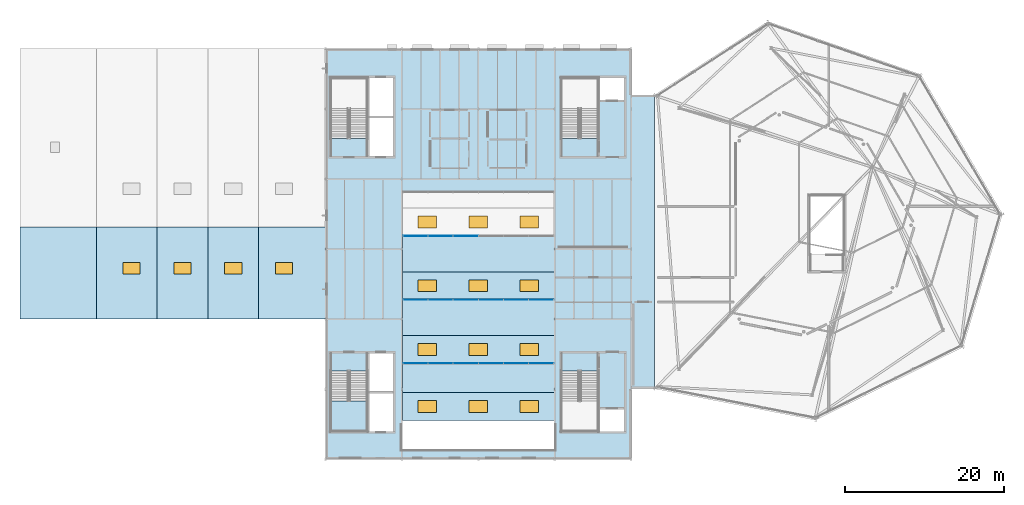
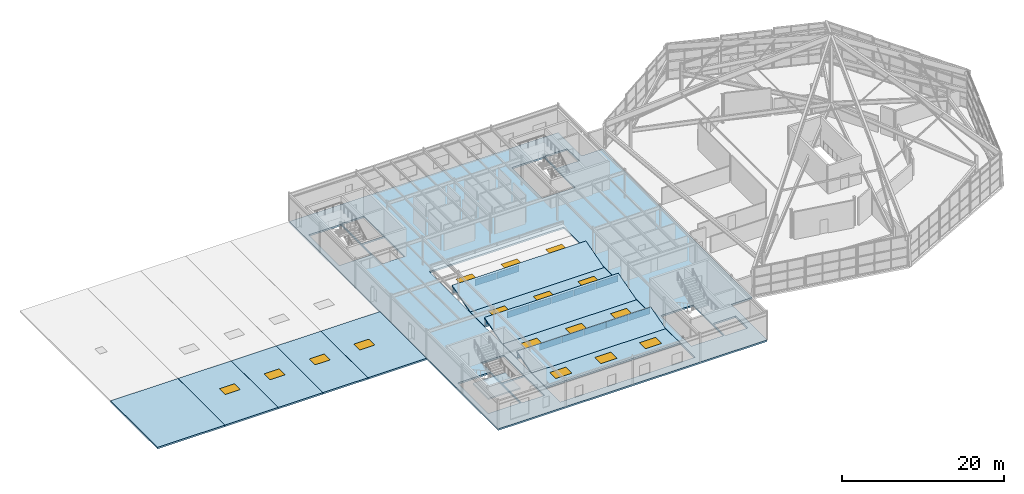
# One storey, part 24 of 50: 16 windows, 15 plates, 13 slabs, 16 openings, 4 elements without a shape of their own.
"""IFC4 building model written with IfcOpenShell, lengths in metres."""

from ifc_helpers import new_model, si_unit, direction, frame, origin, origin_2d, place, context, subcontext, project, spatial, polyline, rectangle, outline, extrude, material, layer, layer_set, type_object, element, fill, aggregate, save


model = new_model("IFC4")

# Units and contexts
model_context = context("Model", 3, precision=1e-05, world=origin(), true_north=direction((0.0, 1.0)))
body_context = subcontext(model_context, "Body", "Model", "MODEL_VIEW")
ifc_project = project(units=[si_unit("LENGTHUNIT", "METRE"), si_unit("AREAUNIT", "SQUARE_METRE"), si_unit("VOLUMEUNIT", "CUBIC_METRE"), si_unit("PLANEANGLEUNIT", "RADIAN"), si_unit("MASSUNIT", "GRAM", prefix="KILO")], contexts=[model_context])

# Site, building, storey
site_placement = place(None, origin())
site = spatial("IfcSite", under=ifc_project, at=site_placement, CompositionType="ELEMENT")
building_placement = place(site_placement, origin())
building = spatial("IfcBuilding", under=site, at=building_placement, Name="Sarnbrook Museum", CompositionType="ELEMENT")
storey_placement = place(building_placement, frame((0.0, 0.0, 28.10009765625)))
storey = spatial("IfcBuildingStorey", under=building, at=storey_placement, Name="L05", CompositionType="ELEMENT", Elevation=28.10009765625)

# Curtain wall, plates
ifc_material_1 = material(Name="Thermally Broken Anodised Aluminium 6063-T6", Category="aluminium")
curtain_wall_type = type_object("IfcCurtainWallType", Name="CurtainWall_Sawtooth", PredefinedType="NOTDEFINED", material=ifc_material_1)
curtain_wall_1_placement = place(storey_placement, origin())
curtain_wall_1 = element("IfcCurtainWall", 1, at=curtain_wall_1_placement, inside=storey, type_object=curtain_wall_type, Name="Atrium Sawtooth North-Light Clerestory 1", PredefinedType="NOTDEFINED")
ifc_material_2 = material(Name="Double-Glazed Low-Iron Laminated Safety Glass", Category="glass")
ifc_layer_1 = layer(ifc_material_2, 0.031982421875)
ifc_layer_set_1 = layer_set([ifc_layer_1], Name="Double-Glazed Low-Iron Laminated Safety Glass")
plate_type = type_object("IfcPlateType", Name="CW_GlazedPanel_32", PredefinedType="CURTAIN_PANEL", material=ifc_layer_set_1)
plate_1_placement = place(storey_placement, frame((92.083251953125, 68.85791015625, 0.52490234375), z_axis=(0.0, -1.0, 0.0), x_axis=(1.0, 0.0, 0.0)))
plate_1 = element("IfcPlate", 2, at=plate_1_placement, type_object=plate_type, Name="Atrium Sawtooth North-Light Clerestory 1 Glazed Panel 1-1", PredefinedType="CURTAIN_PANEL", context=body_context, shape_type="SweptSolid", body=[
    extrude(rectangle(XDim=3.091796875, YDim=0.97998046875, at=origin_2d()), origin(), (0.0, 0.0, 1.0), 0.031982421875),
])
plate_2_placement = place(storey_placement, frame((95.25, 68.85791015625, 0.52490234375), z_axis=(0.0, -1.0, 0.0), x_axis=(1.0, 0.0, 0.0)))
plate_2 = element("IfcPlate", 3, at=plate_2_placement, type_object=plate_type, Name="Atrium Sawtooth North-Light Clerestory 1 Glazed Panel 2-1", PredefinedType="CURTAIN_PANEL", context=body_context, shape_type="SweptSolid", body=[
    extrude(rectangle(XDim=3.091796875, YDim=0.97998046875, at=origin_2d()), origin(), (0.0, 0.0, 1.0), 0.031982421875),
])
plate_3_placement = place(storey_placement, frame((98.416748046875, 68.85791015625, 0.52490234375), z_axis=(0.0, -1.0, 0.0), x_axis=(1.0, 0.0, 0.0)))
plate_3 = element("IfcPlate", 4, at=plate_3_placement, type_object=plate_type, Name="Atrium Sawtooth North-Light Clerestory 1 Glazed Panel 3-1", PredefinedType="CURTAIN_PANEL", context=body_context, shape_type="SweptSolid", body=[
    extrude(rectangle(XDim=3.091796875, YDim=0.97998046875, at=origin_2d()), origin(), (0.0, 0.0, 1.0), 0.031982421875),
])
plate_4_placement = place(storey_placement, frame((101.583251953125, 68.85791015625, 0.52490234375), z_axis=(0.0, -1.0, 0.0), x_axis=(1.0, 0.0, 0.0)))
plate_4 = element("IfcPlate", 5, at=plate_4_placement, type_object=plate_type, Name="Atrium Sawtooth North-Light Clerestory 1 Glazed Panel 4-1", PredefinedType="CURTAIN_PANEL", context=body_context, shape_type="SweptSolid", body=[
    extrude(rectangle(XDim=3.091796875, YDim=0.97998046875, at=origin_2d()), origin(), (0.0, 0.0, 1.0), 0.031982421875),
])
plate_5_placement = place(storey_placement, frame((104.75, 68.85791015625, 0.52490234375), z_axis=(0.0, -1.0, 0.0), x_axis=(1.0, 0.0, 0.0)))
plate_5 = element("IfcPlate", 6, at=plate_5_placement, type_object=plate_type, Name="Atrium Sawtooth North-Light Clerestory 1 Glazed Panel 5-1", PredefinedType="CURTAIN_PANEL", context=body_context, shape_type="SweptSolid", body=[
    extrude(rectangle(XDim=3.091796875, YDim=0.97998046875, at=origin_2d()), origin(), (0.0, 0.0, 1.0), 0.031982421875),
])
plate_6_placement = place(storey_placement, frame((107.916748046875, 68.85791015625, 0.52490234375), z_axis=(0.0, -1.0, 0.0), x_axis=(1.0, 0.0, 0.0)))
plate_6 = element("IfcPlate", 7, at=plate_6_placement, type_object=plate_type, Name="Atrium Sawtooth North-Light Clerestory 1 Glazed Panel 6-1", PredefinedType="CURTAIN_PANEL", context=body_context, shape_type="SweptSolid", body=[
    extrude(rectangle(XDim=3.091796875, YDim=0.97998046875, at=origin_2d()), origin(), (0.0, 0.0, 1.0), 0.031982421875),
])
aggregate(curtain_wall_1, [plate_1, plate_2, plate_3, plate_4, plate_5, plate_6])

curtain_wall_2_placement = place(storey_placement, origin())
curtain_wall_2 = element("IfcCurtainWall", 8, at=curtain_wall_2_placement, inside=storey, type_object=curtain_wall_type, Name="Atrium Sawtooth North-Light Clerestory 2", PredefinedType="NOTDEFINED")
plate_7_placement = place(storey_placement, frame((92.083251953125, 76.85791015625, 0.52490234375), z_axis=(0.0, -1.0, 0.0), x_axis=(1.0, 0.0, 0.0)))
plate_7 = element("IfcPlate", 9, at=plate_7_placement, type_object=plate_type, Name="Atrium Sawtooth North-Light Clerestory 2 Glazed Panel 1-1", PredefinedType="CURTAIN_PANEL", context=body_context, shape_type="SweptSolid", body=[
    extrude(rectangle(XDim=3.091796875, YDim=0.97998046875, at=origin_2d()), origin(), (0.0, 0.0, 1.0), 0.031982421875),
])
plate_8_placement = place(storey_placement, frame((95.25, 76.85791015625, 0.52490234375), z_axis=(0.0, -1.0, 0.0), x_axis=(1.0, 0.0, 0.0)))
plate_8 = element("IfcPlate", 10, at=plate_8_placement, type_object=plate_type, Name="Atrium Sawtooth North-Light Clerestory 2 Glazed Panel 2-1", PredefinedType="CURTAIN_PANEL", context=body_context, shape_type="SweptSolid", body=[
    extrude(rectangle(XDim=3.091796875, YDim=0.97998046875, at=origin_2d()), origin(), (0.0, 0.0, 1.0), 0.031982421875),
])
plate_9_placement = place(storey_placement, frame((98.416748046875, 76.85791015625, 0.52490234375), z_axis=(0.0, -1.0, 0.0), x_axis=(1.0, 0.0, 0.0)))
plate_9 = element("IfcPlate", 11, at=plate_9_placement, type_object=plate_type, Name="Atrium Sawtooth North-Light Clerestory 2 Glazed Panel 3-1", PredefinedType="CURTAIN_PANEL", context=body_context, shape_type="SweptSolid", body=[
    extrude(rectangle(XDim=3.091796875, YDim=0.97998046875, at=origin_2d()), origin(), (0.0, 0.0, 1.0), 0.031982421875),
])
plate_10_placement = place(storey_placement, frame((101.583251953125, 76.85791015625, 0.52490234375), z_axis=(0.0, -1.0, 0.0), x_axis=(1.0, 0.0, 0.0)))
plate_10 = element("IfcPlate", 12, at=plate_10_placement, type_object=plate_type, Name="Atrium Sawtooth North-Light Clerestory 2 Glazed Panel 4-1", PredefinedType="CURTAIN_PANEL", context=body_context, shape_type="SweptSolid", body=[
    extrude(rectangle(XDim=3.091796875, YDim=0.97998046875, at=origin_2d()), origin(), (0.0, 0.0, 1.0), 0.031982421875),
])
plate_11_placement = place(storey_placement, frame((104.75, 76.85791015625, 0.52490234375), z_axis=(0.0, -1.0, 0.0), x_axis=(1.0, 0.0, 0.0)))
plate_11 = element("IfcPlate", 13, at=plate_11_placement, type_object=plate_type, Name="Atrium Sawtooth North-Light Clerestory 2 Glazed Panel 5-1", PredefinedType="CURTAIN_PANEL", context=body_context, shape_type="SweptSolid", body=[
    extrude(rectangle(XDim=3.091796875, YDim=0.97998046875, at=origin_2d()), origin(), (0.0, 0.0, 1.0), 0.031982421875),
])
plate_12_placement = place(storey_placement, frame((107.916748046875, 76.85791015625, 0.52490234375), z_axis=(0.0, -1.0, 0.0), x_axis=(1.0, 0.0, 0.0)))
plate_12 = element("IfcPlate", 14, at=plate_12_placement, type_object=plate_type, Name="Atrium Sawtooth North-Light Clerestory 2 Glazed Panel 6-1", PredefinedType="CURTAIN_PANEL", context=body_context, shape_type="SweptSolid", body=[
    extrude(rectangle(XDim=3.091796875, YDim=0.97998046875, at=origin_2d()), origin(), (0.0, 0.0, 1.0), 0.031982421875),
])
aggregate(curtain_wall_2, [plate_7, plate_8, plate_9, plate_10, plate_11, plate_12])

curtain_wall_3_placement = place(storey_placement, origin())
curtain_wall_3 = element("IfcCurtainWall", 15, at=curtain_wall_3_placement, inside=storey, type_object=curtain_wall_type, Name="Atrium Sawtooth North-Light Clerestory 3", PredefinedType="NOTDEFINED")
plate_13_placement = place(storey_placement, frame((92.083251953125, 84.85791015625, 0.52490234375), z_axis=(0.0, -1.0, 0.0), x_axis=(1.0, 0.0, 0.0)))
plate_13 = element("IfcPlate", 16, at=plate_13_placement, type_object=plate_type, Name="Atrium Sawtooth North-Light Clerestory 3 Glazed Panel 1-1", PredefinedType="CURTAIN_PANEL", context=body_context, shape_type="SweptSolid", body=[
    extrude(rectangle(XDim=3.091796875, YDim=0.97998046875, at=origin_2d()), origin(), (0.0, 0.0, 1.0), 0.031982421875),
])
plate_14_placement = place(storey_placement, frame((95.25, 84.85791015625, 0.52490234375), z_axis=(0.0, -1.0, 0.0), x_axis=(1.0, 0.0, 0.0)))
plate_14 = element("IfcPlate", 17, at=plate_14_placement, type_object=plate_type, Name="Atrium Sawtooth North-Light Clerestory 3 Glazed Panel 2-1", PredefinedType="CURTAIN_PANEL", context=body_context, shape_type="SweptSolid", body=[
    extrude(rectangle(XDim=3.091796875, YDim=0.97998046875, at=origin_2d()), origin(), (0.0, 0.0, 1.0), 0.031982421875),
])
plate_15_placement = place(storey_placement, frame((98.416748046875, 84.85791015625, 0.52490234375), z_axis=(0.0, -1.0, 0.0), x_axis=(1.0, 0.0, 0.0)))
plate_15 = element("IfcPlate", 18, at=plate_15_placement, type_object=plate_type, Name="Atrium Sawtooth North-Light Clerestory 3 Glazed Panel 3-1", PredefinedType="CURTAIN_PANEL", context=body_context, shape_type="SweptSolid", body=[
    extrude(rectangle(XDim=3.091796875, YDim=0.97998046875, at=origin_2d()), origin(), (0.0, 0.0, 1.0), 0.031982421875),
])
aggregate(curtain_wall_3, [plate_13, plate_14, plate_15])

# Slab, openings, windows
ifc_material_3 = material(Name="Concrete N40 (AS 3600, f'c = 40 MPa)", Category="concrete")
ifc_layer_2 = layer(ifc_material_3, 0.25)
ifc_layer_set_2 = layer_set([ifc_layer_2], Name="Concrete N40 (AS 3600, f'c = 40 MPa)")
slab_type_1 = type_object("IfcSlabType", Name="FloorSlab_250", PredefinedType="FLOOR", material=ifc_layer_set_2)
slab_1_placement = place(storey_placement, frame((0.0, 0.0, -0.25)))
slab_1 = element("IfcSlab", 19, at=slab_1_placement, inside=storey, type_object=slab_type_1, Name="V2 Structural Slab L05", PredefinedType="FLOOR", context=body_context, shape_type="SweptSolid", body=[
    extrude(outline(polyline([(122.158203125, 102.5908203125), (122.158203125, 65.640625), (119.199951171875, 65.640625), (119.199951171875, 56.800048828125), (80.8349609375, 56.800048828125), (80.8349609375, 108.39990234375), (119.199951171875, 108.39990234375), (119.199951171875, 102.5908203125), (122.158203125, 102.5908203125)]), holes=[polyline([(86.199951171875, 60.199951171875), (86.199951171875, 65.179931640625), (89.39990234375, 65.179931640625), (89.39990234375, 60.199951171875), (86.199951171875, 60.199951171875)]), polyline([(81.43994140625, 67.879638671875), (86.06005859375, 67.879638671875), (86.06005859375, 60.300048828125), (81.43994140625, 60.300048828125), (81.43994140625, 67.879638671875)]), polyline([(86.199951171875, 70.199951171875), (89.39990234375, 70.199951171875), (89.39990234375, 65.219970703125), (86.199951171875, 65.219970703125), (86.199951171875, 70.199951171875)]), polyline([(86.199951171875, 99.780029296875), (89.39990234375, 99.780029296875), (89.39990234375, 94.800048828125), (86.199951171875, 94.800048828125), (86.199951171875, 99.780029296875)]), polyline([(86.06005859375, 104.699951171875), (86.06005859375, 97.120361328125), (81.43994140625, 97.120361328125), (81.43994140625, 104.699951171875), (86.06005859375, 104.699951171875)]), polyline([(86.199951171875, 104.800048828125), (89.39990234375, 104.800048828125), (89.39990234375, 99.820068359375), (86.199951171875, 99.820068359375), (86.199951171875, 104.800048828125)]), polyline([(115.199951171875, 63.179931640625), (118.39990234375, 63.179931640625), (118.39990234375, 60.199951171875), (115.199951171875, 60.199951171875), (115.199951171875, 63.179931640625)]), polyline([(115.06005859375, 67.879638671875), (115.06005859375, 60.300048828125), (110.43994140625, 60.300048828125), (110.43994140625, 67.879638671875), (115.06005859375, 67.879638671875)]), polyline([(90.39990234375, 90.39990234375), (109.60009765625, 90.39990234375), (109.60009765625, 58.0), (90.39990234375, 58.0), (90.39990234375, 90.39990234375)]), polyline([(115.06005859375, 104.699951171875), (115.06005859375, 97.120361328125), (110.43994140625, 97.120361328125), (110.43994140625, 104.699951171875), (115.06005859375, 104.699951171875)]), polyline([(118.39990234375, 104.800048828125), (118.39990234375, 101.820068359375), (115.199951171875, 101.820068359375), (115.199951171875, 104.800048828125), (118.39990234375, 104.800048828125)])]), origin(), (0.0, 0.0, 1.0), 0.25),
])
opening_1_placement = place(slab_1_placement, frame((93.60009765625, 63.39990234375, -0.010009765625)))
opening_1 = element("IfcOpeningElement", 20, at=opening_1_placement, cuts=slab_1, Name="Opening RL-01", PredefinedType="OPENING", context=body_context, shape_type="SweptSolid", body=[
    extrude(rectangle(XDim=2.300048828125, YDim=1.5, at=origin_2d()), origin(), (0.0, 0.0, 1.0), 0.27001953125),
])
opening_2_placement = place(slab_1_placement, frame((100.0, 63.39990234375, -0.010009765625)))
opening_2 = element("IfcOpeningElement", 21, at=opening_2_placement, cuts=slab_1, Name="Opening RL-02", PredefinedType="OPENING", context=body_context, shape_type="SweptSolid", body=[
    extrude(rectangle(XDim=2.300048828125, YDim=1.5, at=origin_2d()), origin(), (0.0, 0.0, 1.0), 0.27001953125),
])
opening_3_placement = place(slab_1_placement, frame((106.39990234375, 63.39990234375, -0.010009765625)))
opening_3 = element("IfcOpeningElement", 22, at=opening_3_placement, cuts=slab_1, Name="Opening RL-03", PredefinedType="OPENING", context=body_context, shape_type="SweptSolid", body=[
    extrude(rectangle(XDim=2.300048828125, YDim=1.5, at=origin_2d()), origin(), (0.0, 0.0, 1.0), 0.27001953125),
])
opening_4_placement = place(slab_1_placement, frame((93.60009765625, 70.60009765625, -0.010009765625)))
opening_4 = element("IfcOpeningElement", 23, at=opening_4_placement, cuts=slab_1, Name="Opening RL-04", PredefinedType="OPENING", context=body_context, shape_type="SweptSolid", body=[
    extrude(rectangle(XDim=2.300048828125, YDim=1.5, at=origin_2d()), origin(), (0.0, 0.0, 1.0), 0.27001953125),
])
opening_5_placement = place(slab_1_placement, frame((100.0, 70.60009765625, -0.010009765625)))
opening_5 = element("IfcOpeningElement", 24, at=opening_5_placement, cuts=slab_1, Name="Opening RL-05", PredefinedType="OPENING", context=body_context, shape_type="SweptSolid", body=[
    extrude(rectangle(XDim=2.300048828125, YDim=1.5, at=origin_2d()), origin(), (0.0, 0.0, 1.0), 0.27001953125),
])
opening_6_placement = place(slab_1_placement, frame((106.39990234375, 70.60009765625, -0.010009765625)))
opening_6 = element("IfcOpeningElement", 25, at=opening_6_placement, cuts=slab_1, Name="Opening RL-06", PredefinedType="OPENING", context=body_context, shape_type="SweptSolid", body=[
    extrude(rectangle(XDim=2.300048828125, YDim=1.5, at=origin_2d()), origin(), (0.0, 0.0, 1.0), 0.27001953125),
])
opening_7_placement = place(slab_1_placement, frame((93.60009765625, 78.60009765625, -0.010009765625)))
opening_7 = element("IfcOpeningElement", 26, at=opening_7_placement, cuts=slab_1, Name="Opening RL-07", PredefinedType="OPENING", context=body_context, shape_type="SweptSolid", body=[
    extrude(rectangle(XDim=2.300048828125, YDim=1.5, at=origin_2d()), origin(), (0.0, 0.0, 1.0), 0.27001953125),
])
opening_8_placement = place(slab_1_placement, frame((100.0, 78.60009765625, -0.010009765625)))
opening_8 = element("IfcOpeningElement", 27, at=opening_8_placement, cuts=slab_1, Name="Opening RL-08", PredefinedType="OPENING", context=body_context, shape_type="SweptSolid", body=[
    extrude(rectangle(XDim=2.300048828125, YDim=1.5, at=origin_2d()), origin(), (0.0, 0.0, 1.0), 0.27001953125),
])
opening_9_placement = place(slab_1_placement, frame((106.39990234375, 78.60009765625, -0.010009765625)))
opening_9 = element("IfcOpeningElement", 28, at=opening_9_placement, cuts=slab_1, Name="Opening RL-09", PredefinedType="OPENING", context=body_context, shape_type="SweptSolid", body=[
    extrude(rectangle(XDim=2.300048828125, YDim=1.5, at=origin_2d()), origin(), (0.0, 0.0, 1.0), 0.27001953125),
])
opening_10_placement = place(slab_1_placement, frame((93.60009765625, 86.60009765625, -0.010009765625)))
opening_10 = element("IfcOpeningElement", 29, at=opening_10_placement, cuts=slab_1, Name="Opening RL-10", PredefinedType="OPENING", context=body_context, shape_type="SweptSolid", body=[
    extrude(rectangle(XDim=2.300048828125, YDim=1.5, at=origin_2d()), origin(), (0.0, 0.0, 1.0), 0.27001953125),
])
opening_11_placement = place(slab_1_placement, frame((100.0, 86.60009765625, -0.010009765625)))
opening_11 = element("IfcOpeningElement", 30, at=opening_11_placement, cuts=slab_1, Name="Opening RL-11", PredefinedType="OPENING", context=body_context, shape_type="SweptSolid", body=[
    extrude(rectangle(XDim=2.300048828125, YDim=1.5, at=origin_2d()), origin(), (0.0, 0.0, 1.0), 0.27001953125),
])
opening_12_placement = place(slab_1_placement, frame((106.39990234375, 86.60009765625, -0.010009765625)))
opening_12 = element("IfcOpeningElement", 31, at=opening_12_placement, cuts=slab_1, Name="Opening RL-12", PredefinedType="OPENING", context=body_context, shape_type="SweptSolid", body=[
    extrude(rectangle(XDim=2.300048828125, YDim=1.5, at=origin_2d()), origin(), (0.0, 0.0, 1.0), 0.27001953125),
])
ifc_material_4 = material(Name="Ceramic-Fritted Double-Glazed Low-Iron Glass", Category="glass")
window_type_1 = type_object("IfcWindowType", Name="Skylight_NorthLight_1", PartitioningType="SINGLE_PANEL", PredefinedType="SKYLIGHT", material=ifc_material_4)
window_1_placement = place(opening_1_placement, frame((0.0, 0.0, 0.219970703125)))
window_1 = element("IfcWindow", 32, at=window_1_placement, inside=storey, type_object=window_type_1, Name="North-Light Rooflight RL-01", OverallHeight=1.5, OverallWidth=2.300048828125, PartitioningType="SINGLE_PANEL", PredefinedType="SKYLIGHT", context=body_context, shape_type="SweptSolid", body=[
    extrude(rectangle(XDim=2.300048828125, YDim=1.5, at=origin_2d()), origin(), (0.0, 0.0, 1.0), 0.0400390625),
])
fill(opening_1, window_1)
window_2_placement = place(opening_2_placement, frame((0.0, 0.0, 0.219970703125)))
window_2 = element("IfcWindow", 33, at=window_2_placement, inside=storey, type_object=window_type_1, Name="North-Light Rooflight RL-02", OverallHeight=1.5, OverallWidth=2.300048828125, PartitioningType="SINGLE_PANEL", PredefinedType="SKYLIGHT", context=body_context, shape_type="SweptSolid", body=[
    extrude(rectangle(XDim=2.300048828125, YDim=1.5, at=origin_2d()), origin(), (0.0, 0.0, 1.0), 0.0400390625),
])
fill(opening_2, window_2)
window_3_placement = place(opening_3_placement, frame((0.0, 0.0, 0.219970703125)))
window_3 = element("IfcWindow", 34, at=window_3_placement, inside=storey, type_object=window_type_1, Name="North-Light Rooflight RL-03", OverallHeight=1.5, OverallWidth=2.300048828125, PartitioningType="SINGLE_PANEL", PredefinedType="SKYLIGHT", context=body_context, shape_type="SweptSolid", body=[
    extrude(rectangle(XDim=2.300048828125, YDim=1.5, at=origin_2d()), origin(), (0.0, 0.0, 1.0), 0.0400390625),
])
fill(opening_3, window_3)
window_4_placement = place(opening_4_placement, frame((0.0, 0.0, 0.219970703125)))
window_4 = element("IfcWindow", 35, at=window_4_placement, inside=storey, type_object=window_type_1, Name="North-Light Rooflight RL-04", OverallHeight=1.5, OverallWidth=2.300048828125, PartitioningType="SINGLE_PANEL", PredefinedType="SKYLIGHT", context=body_context, shape_type="SweptSolid", body=[
    extrude(rectangle(XDim=2.300048828125, YDim=1.5, at=origin_2d()), origin(), (0.0, 0.0, 1.0), 0.0400390625),
])
fill(opening_4, window_4)
window_5_placement = place(opening_5_placement, frame((0.0, 0.0, 0.219970703125)))
window_5 = element("IfcWindow", 36, at=window_5_placement, inside=storey, type_object=window_type_1, Name="North-Light Rooflight RL-05", OverallHeight=1.5, OverallWidth=2.300048828125, PartitioningType="SINGLE_PANEL", PredefinedType="SKYLIGHT", context=body_context, shape_type="SweptSolid", body=[
    extrude(rectangle(XDim=2.300048828125, YDim=1.5, at=origin_2d()), origin(), (0.0, 0.0, 1.0), 0.0400390625),
])
fill(opening_5, window_5)
window_6_placement = place(opening_6_placement, frame((0.0, 0.0, 0.219970703125)))
window_6 = element("IfcWindow", 37, at=window_6_placement, inside=storey, type_object=window_type_1, Name="North-Light Rooflight RL-06", OverallHeight=1.5, OverallWidth=2.300048828125, PartitioningType="SINGLE_PANEL", PredefinedType="SKYLIGHT", context=body_context, shape_type="SweptSolid", body=[
    extrude(rectangle(XDim=2.300048828125, YDim=1.5, at=origin_2d()), origin(), (0.0, 0.0, 1.0), 0.0400390625),
])
fill(opening_6, window_6)
window_7_placement = place(opening_7_placement, frame((0.0, 0.0, 0.219970703125)))
window_7 = element("IfcWindow", 38, at=window_7_placement, inside=storey, type_object=window_type_1, Name="North-Light Rooflight RL-07", OverallHeight=1.5, OverallWidth=2.300048828125, PartitioningType="SINGLE_PANEL", PredefinedType="SKYLIGHT", context=body_context, shape_type="SweptSolid", body=[
    extrude(rectangle(XDim=2.300048828125, YDim=1.5, at=origin_2d()), origin(), (0.0, 0.0, 1.0), 0.0400390625),
])
fill(opening_7, window_7)
window_8_placement = place(opening_8_placement, frame((0.0, 0.0, 0.219970703125)))
window_8 = element("IfcWindow", 39, at=window_8_placement, inside=storey, type_object=window_type_1, Name="North-Light Rooflight RL-08", OverallHeight=1.5, OverallWidth=2.300048828125, PartitioningType="SINGLE_PANEL", PredefinedType="SKYLIGHT", context=body_context, shape_type="SweptSolid", body=[
    extrude(rectangle(XDim=2.300048828125, YDim=1.5, at=origin_2d()), origin(), (0.0, 0.0, 1.0), 0.0400390625),
])
fill(opening_8, window_8)
window_9_placement = place(opening_9_placement, frame((0.0, 0.0, 0.219970703125)))
window_9 = element("IfcWindow", 40, at=window_9_placement, inside=storey, type_object=window_type_1, Name="North-Light Rooflight RL-09", OverallHeight=1.5, OverallWidth=2.300048828125, PartitioningType="SINGLE_PANEL", PredefinedType="SKYLIGHT", context=body_context, shape_type="SweptSolid", body=[
    extrude(rectangle(XDim=2.300048828125, YDim=1.5, at=origin_2d()), origin(), (0.0, 0.0, 1.0), 0.0400390625),
])
fill(opening_9, window_9)
window_10_placement = place(opening_10_placement, frame((0.0, 0.0, 0.219970703125)))
window_10 = element("IfcWindow", 41, at=window_10_placement, inside=storey, type_object=window_type_1, Name="North-Light Rooflight RL-10", OverallHeight=1.5, OverallWidth=2.300048828125, PartitioningType="SINGLE_PANEL", PredefinedType="SKYLIGHT", context=body_context, shape_type="SweptSolid", body=[
    extrude(rectangle(XDim=2.300048828125, YDim=1.5, at=origin_2d()), origin(), (0.0, 0.0, 1.0), 0.0400390625),
])
fill(opening_10, window_10)
window_11_placement = place(opening_11_placement, frame((0.0, 0.0, 0.219970703125)))
window_11 = element("IfcWindow", 42, at=window_11_placement, inside=storey, type_object=window_type_1, Name="North-Light Rooflight RL-11", OverallHeight=1.5, OverallWidth=2.300048828125, PartitioningType="SINGLE_PANEL", PredefinedType="SKYLIGHT", context=body_context, shape_type="SweptSolid", body=[
    extrude(rectangle(XDim=2.300048828125, YDim=1.5, at=origin_2d()), origin(), (0.0, 0.0, 1.0), 0.0400390625),
])
fill(opening_11, window_11)
window_12_placement = place(opening_12_placement, frame((0.0, 0.0, 0.219970703125)))
window_12 = element("IfcWindow", 43, at=window_12_placement, inside=storey, type_object=window_type_1, Name="North-Light Rooflight RL-12", OverallHeight=1.5, OverallWidth=2.300048828125, PartitioningType="SINGLE_PANEL", PredefinedType="SKYLIGHT", context=body_context, shape_type="SweptSolid", body=[
    extrude(rectangle(XDim=2.300048828125, YDim=1.5, at=origin_2d()), origin(), (0.0, 0.0, 1.0), 0.0400390625),
])
fill(opening_12, window_12)

# Stair, slab
stair_type = type_object("IfcStairType", Name="Stair_ST03", PredefinedType="HALF_TURN_STAIR", material=ifc_material_3)
stair_placement = place(storey_placement, origin())
stair = element("IfcStair", 44, at=stair_placement, inside=storey, type_object=stair_type, Name="L05 Exit Stair ST3", PredefinedType="HALF_TURN_STAIR")
ifc_layer_3 = layer(ifc_material_3, 0.199951171875)
ifc_layer_set_3 = layer_set([ifc_layer_3], Name="Concrete N40 (AS 3600, f'c = 40 MPa)")
slab_type_2 = type_object("IfcSlabType", Name="Landing_200", PredefinedType="LANDING", material=ifc_layer_set_3)
slab_2_placement = place(storey_placement, frame((0.0, 0.0, 2.0498046875)))
slab_2 = element("IfcSlab", 45, at=slab_2_placement, type_object=slab_type_2, Name="ST3 landing 1", PredefinedType="LANDING", context=body_context, shape_type="SweptSolid", body=[
    extrude(outline(polyline([(81.43994140625, 64.110107421875), (81.43994140625, 60.300048828125), (86.06005859375, 60.300048828125), (86.06005859375, 64.110107421875), (81.43994140625, 64.110107421875)])), origin(), (0.0, 0.0, 1.0), 0.2001953125),
])
aggregate(stair, [slab_2])

# Slabs
ifc_layer_4 = layer(ifc_material_3, 0.25)
ifc_layer_set_4 = layer_set([ifc_layer_4], Name="Concrete N40 (AS 3600, f'c = 40 MPa)")
slab_type_3 = type_object("IfcSlabType", Name="RoofSlab_Curb250", PredefinedType="ROOF", material=ifc_layer_set_4)
slab_3_placement = place(storey_placement, frame((0.0, 0.0, -0.25)))
element("IfcSlab", 46, at=slab_3_placement, inside=storey, type_object=slab_type_3, Name="Atrium North-Light Skylight Curb Slab 1", PredefinedType="ROOF", context=body_context, shape_type="SweptSolid", body=[
    extrude(outline(polyline([(90.449951171875, 61.64990234375), (90.449951171875, 65.14990234375), (109.550048828125, 65.14990234375), (109.550048828125, 61.64990234375), (90.449951171875, 61.64990234375)])), origin(), (0.0, 0.0, 1.0), 0.25),
])
slab_4_placement = place(storey_placement, frame((0.0, 0.0, -0.25)))
element("IfcSlab", 47, at=slab_4_placement, inside=storey, type_object=slab_type_3, Name="Atrium North-Light Skylight Curb Slab 2", PredefinedType="ROOF", context=body_context, shape_type="SweptSolid", body=[
    extrude(outline(polyline([(90.449951171875, 68.85009765625), (90.449951171875, 72.35009765625), (109.550048828125, 72.35009765625), (109.550048828125, 68.85009765625), (90.449951171875, 68.85009765625)])), origin(), (0.0, 0.0, 1.0), 0.25),
])
slab_5_placement = place(storey_placement, frame((0.0, 0.0, -0.25)))
element("IfcSlab", 48, at=slab_5_placement, inside=storey, type_object=slab_type_3, Name="Atrium North-Light Skylight Curb Slab 3", PredefinedType="ROOF", context=body_context, shape_type="SweptSolid", body=[
    extrude(outline(polyline([(90.449951171875, 76.85009765625), (90.449951171875, 80.35009765625), (109.550048828125, 80.35009765625), (109.550048828125, 76.85009765625), (90.449951171875, 76.85009765625)])), origin(), (0.0, 0.0, 1.0), 0.25),
])
slab_6_placement = place(storey_placement, frame((0.0, 0.0, -0.25)))
element("IfcSlab", 49, at=slab_6_placement, inside=storey, type_object=slab_type_3, Name="Conservation Laboratory Roof Slab 1-1", PredefinedType="ROOF", context=body_context, shape_type="SweptSolid", body=[
    extrude(outline(polyline([(42.39990234375, 74.39990234375), (42.39990234375, 86.0), (52.0, 86.0), (52.0, 74.39990234375), (42.39990234375, 74.39990234375)])), origin(), (0.0, 0.0, 1.0), 0.25),
])

# Slab, opening, window
slab_7_placement = place(storey_placement, frame((0.0, 0.0, -0.25)))
slab_7 = element("IfcSlab", 50, at=slab_7_placement, inside=storey, type_object=slab_type_3, Name="Conservation Laboratory Roof Slab 2-1", PredefinedType="ROOF", context=body_context, shape_type="SweptSolid", body=[
    extrude(outline(polyline([(59.60009765625, 86.0), (59.60009765625, 74.39990234375), (52.00390625, 74.39990234375), (52.00390625, 86.0), (59.60009765625, 86.0)])), origin(), (0.0, 0.0, 1.0), 0.25),
])
opening_13_placement = place(slab_7_placement, frame((56.39990234375, 80.800048828125, -0.010009765625)))
opening_13 = element("IfcOpeningElement", 51, at=opening_13_placement, cuts=slab_7, Name="Opening RL-13", PredefinedType="OPENING", context=body_context, shape_type="SweptSolid", body=[
    extrude(rectangle(XDim=2.14990234375, YDim=1.449951171875, at=origin_2d()), origin(), (0.0, 0.0, 1.0), 0.27001953125),
])
window_type_2 = type_object("IfcWindowType", Name="Skylight_NorthLight_2", PartitioningType="SINGLE_PANEL", PredefinedType="SKYLIGHT", material=ifc_material_4)
window_13_placement = place(opening_13_placement, frame((0.0, 0.0, 0.219970703125)))
window_13 = element("IfcWindow", 52, at=window_13_placement, inside=storey, type_object=window_type_2, Name="North-Light Rooflight RL-13", OverallHeight=1.449951171875, OverallWidth=2.14990234375, PartitioningType="SINGLE_PANEL", PredefinedType="SKYLIGHT", context=body_context, shape_type="SweptSolid", body=[
    extrude(rectangle(XDim=2.14990234375, YDim=1.449951171875, at=origin_2d()), origin(), (0.0, 0.0, 1.0), 0.0400390625),
])
fill(opening_13, window_13)

slab_8_placement = place(storey_placement, frame((0.0, 0.0, -0.25)))
slab_8 = element("IfcSlab", 53, at=slab_8_placement, inside=storey, type_object=slab_type_3, Name="Conservation Laboratory Roof Slab 3-1", PredefinedType="ROOF", context=body_context, shape_type="SweptSolid", body=[
    extrude(outline(polyline([(66.0, 86.0), (66.0, 74.39990234375), (59.60400390625, 74.39990234375), (59.60400390625, 86.0), (66.0, 86.0)])), origin(), (0.0, 0.0, 1.0), 0.25),
])
opening_14_placement = place(slab_8_placement, frame((62.800048828125, 80.800048828125, -0.010009765625)))
opening_14 = element("IfcOpeningElement", 54, at=opening_14_placement, cuts=slab_8, Name="Opening RL-14", PredefinedType="OPENING", context=body_context, shape_type="SweptSolid", body=[
    extrude(rectangle(XDim=2.14990234375, YDim=1.449951171875, at=origin_2d()), origin(), (0.0, 0.0, 1.0), 0.27001953125),
])
window_14_placement = place(opening_14_placement, frame((0.0, 0.0, 0.219970703125)))
window_14 = element("IfcWindow", 55, at=window_14_placement, inside=storey, type_object=window_type_2, Name="North-Light Rooflight RL-14", OverallHeight=1.449951171875, OverallWidth=2.14990234375, PartitioningType="SINGLE_PANEL", PredefinedType="SKYLIGHT", context=body_context, shape_type="SweptSolid", body=[
    extrude(rectangle(XDim=2.14990234375, YDim=1.449951171875, at=origin_2d()), origin(), (0.0, 0.0, 1.0), 0.0400390625),
])
fill(opening_14, window_14)

slab_9_placement = place(storey_placement, frame((0.0, 0.0, -0.25)))
slab_9 = element("IfcSlab", 56, at=slab_9_placement, inside=storey, type_object=slab_type_3, Name="Conservation Laboratory Roof Slab 4-1", PredefinedType="ROOF", context=body_context, shape_type="SweptSolid", body=[
    extrude(outline(polyline([(72.39990234375, 86.0), (72.39990234375, 74.39990234375), (66.00390625, 74.39990234375), (66.00390625, 86.0), (72.39990234375, 86.0)])), origin(), (0.0, 0.0, 1.0), 0.25),
])
opening_15_placement = place(slab_9_placement, frame((69.199951171875, 80.800048828125, -0.010009765625)))
opening_15 = element("IfcOpeningElement", 57, at=opening_15_placement, cuts=slab_9, Name="Opening RL-15", PredefinedType="OPENING", context=body_context, shape_type="SweptSolid", body=[
    extrude(rectangle(XDim=2.14990234375, YDim=1.449951171875, at=origin_2d()), origin(), (0.0, 0.0, 1.0), 0.27001953125),
])
window_15_placement = place(opening_15_placement, frame((0.0, 0.0, 0.219970703125)))
window_15 = element("IfcWindow", 58, at=window_15_placement, inside=storey, type_object=window_type_2, Name="North-Light Rooflight RL-15", OverallHeight=1.449951171875, OverallWidth=2.14990234375, PartitioningType="SINGLE_PANEL", PredefinedType="SKYLIGHT", context=body_context, shape_type="SweptSolid", body=[
    extrude(rectangle(XDim=2.14990234375, YDim=1.449951171875, at=origin_2d()), origin(), (0.0, 0.0, 1.0), 0.0400390625),
])
fill(opening_15, window_15)

slab_10_placement = place(storey_placement, frame((0.0, 0.0, -0.25)))
slab_10 = element("IfcSlab", 59, at=slab_10_placement, inside=storey, type_object=slab_type_3, Name="Conservation Laboratory Roof Slab 5-1", PredefinedType="ROOF", context=body_context, shape_type="SweptSolid", body=[
    extrude(outline(polyline([(80.800048828125, 86.0), (80.800048828125, 74.39990234375), (72.404052734375, 74.39990234375), (72.404052734375, 86.0), (80.800048828125, 86.0)])), origin(), (0.0, 0.0, 1.0), 0.25),
])
opening_16_placement = place(slab_10_placement, frame((75.60009765625, 80.800048828125, -0.010009765625)))
opening_16 = element("IfcOpeningElement", 60, at=opening_16_placement, cuts=slab_10, Name="Opening RL-16", PredefinedType="OPENING", context=body_context, shape_type="SweptSolid", body=[
    extrude(rectangle(XDim=2.14990234375, YDim=1.449951171875, at=origin_2d()), origin(), (0.0, 0.0, 1.0), 0.27001953125),
])
window_16_placement = place(opening_16_placement, frame((0.0, 0.0, 0.219970703125)))
window_16 = element("IfcWindow", 61, at=window_16_placement, inside=storey, type_object=window_type_2, Name="North-Light Rooflight RL-16", OverallHeight=1.449951171875, OverallWidth=2.14990234375, PartitioningType="SINGLE_PANEL", PredefinedType="SKYLIGHT", context=body_context, shape_type="SweptSolid", body=[
    extrude(rectangle(XDim=2.14990234375, YDim=1.449951171875, at=origin_2d()), origin(), (0.0, 0.0, 1.0), 0.0400390625),
])
fill(opening_16, window_16)

# Slabs
ifc_layer_5 = layer(ifc_material_3, 0.219970703125)
ifc_layer_set_5 = layer_set([ifc_layer_5], Name="Concrete N40 (AS 3600, f'c = 40 MPa)")
slab_type_4 = type_object("IfcSlabType", Name="RoofSlab_Sawtooth220", PredefinedType="ROOF", material=ifc_layer_set_5)
slab_11_placement = place(storey_placement, frame((90.449951171875, 65.14990234375, 0.0), z_axis=(0.0, -0.275583843575, 0.961277038715), x_axis=(1.0, 0.0, 0.0)))
element("IfcSlab", 62, at=slab_11_placement, inside=storey, type_object=slab_type_4, Name="Atrium Sawtooth Sloped Roof Slab 1", PredefinedType="ROOF", context=body_context, shape_type="SweptSolid", body=[
    extrude(outline(polyline([(0.0, 0.0), (19.10009765625, 0.0), (19.10009765625, 3.849249657982409), (0.0, 3.849249657982409), (0.0, 0.0)])), origin(), (0.0, 0.0, -1.0), 0.219970703125),
])
for number, where, z_axis, x_axis, name in (
    (63, (90.449951171875, 72.35009765625, 0.0), (0.0, -0.275526950607, 0.961293347262), (1.0, 0.0, 0.0), "Atrium Sawtooth Sloped Roof Slab 2"),
    (64, (90.449951171875, 80.35009765625, 0.0), (0.0, -0.275526950607, 0.961293347262), (1.0, 0.0, 0.0), "Atrium Sawtooth Sloped Roof Slab 3"),
):
    element("IfcSlab", number, at=place(storey_placement, frame(where, z_axis=z_axis, x_axis=x_axis)), inside=storey, type_object=slab_type_4, Name=name, PredefinedType="ROOF", context=body_context, shape_type="SweptSolid", body=[
        extrude(outline(polyline([(0.0, 0.0), (19.10009765625, 0.0), (19.10009765625, 4.681193324409336), (0.0, 4.681193324409336), (0.0, 0.0)])), origin(), (0.0, 0.0, -1.0), 0.219970703125),
    ])

save(model, "model.ifc")
